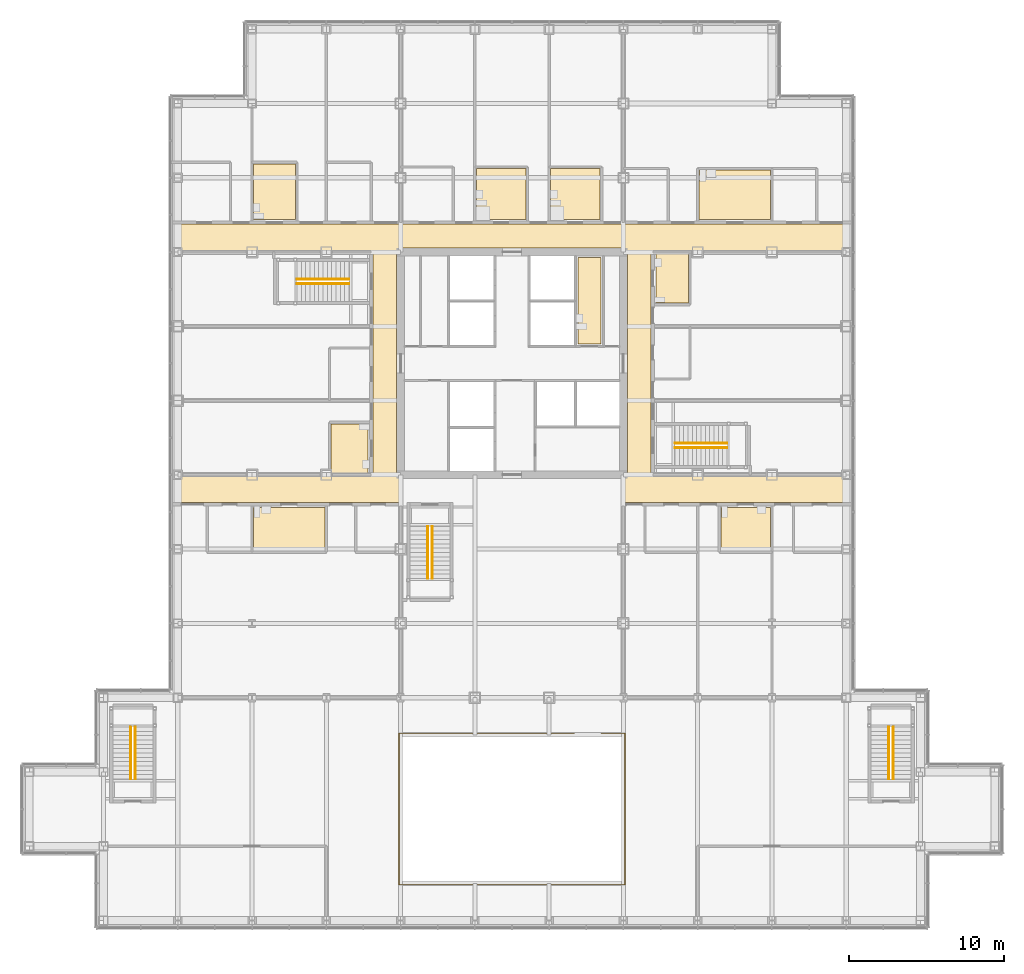
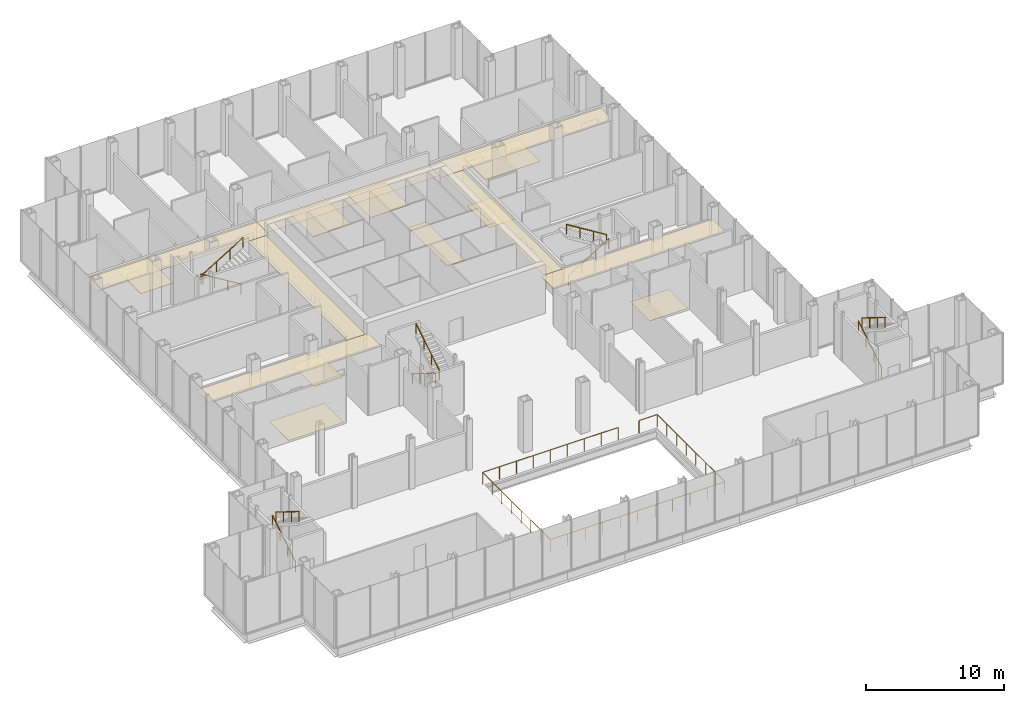
# One storey, part 24 of 25: 16 coverings, 11 railings.
"""IFC4 building model written with IfcOpenShell, lengths in metres."""

from ifc_helpers import new_model, si_unit, direction, frame, origin, origin_2d, place, context, subcontext, project, spatial, polyline, circle, outline, extrude, material, layer, layer_set, type_object, element, save


model = new_model("IFC4")

# Units and contexts
model_context = context("Model", 3, precision=1e-05, world=origin(), true_north=direction((0.0, 1.0)))
body_context = subcontext(model_context, "Body", "Model", "MODEL_VIEW")
ifc_project = project(units=[si_unit("LENGTHUNIT", "METRE"), si_unit("AREAUNIT", "SQUARE_METRE"), si_unit("VOLUMEUNIT", "CUBIC_METRE"), si_unit("PLANEANGLEUNIT", "RADIAN"), si_unit("MASSUNIT", "GRAM", prefix="KILO")], contexts=[model_context])

# Site, building, storey
site_placement = place(None, origin())
site = spatial("IfcSite", under=ifc_project, at=site_placement, CompositionType="ELEMENT")
building_placement = place(site_placement, origin())
building = spatial("IfcBuilding", under=site, at=building_placement, Name="Kvirike Care Tower", CompositionType="ELEMENT")
storey_placement = place(building_placement, frame((0.0, 0.0, 9.0)))
storey = spatial("IfcBuildingStorey", under=building, at=storey_placement, Name="L02", CompositionType="ELEMENT", Elevation=9.0)

# Railing
ifc_material_1 = material(Name="Laminated toughened glass balustrade with bronze-finish top rail", Category="glass")
railing_type_1 = type_object("IfcRailingType", Name="ATRIUM GLASS BALUSTRADE 1100", PredefinedType="BALUSTRADE", material=ifc_material_1)
railing_1_placement = place(storey_placement, frame((25.625, 12.10009765625, 0.0)))
element("IfcRailing", 1, at=railing_1_placement, inside=storey, type_object=railing_type_1, Name="Atrium glass balustrade L02 run 1", PredefinedType="BALUSTRADE", context=body_context, shape_type="SweptSolid", body=[
    extrude(circle(Radius=0.02392578125, at=origin_2d()), frame((0.0, 0.0, 1.076171875), z_axis=(-1.0, 0.0, 0.0), x_axis=(0.0, -1.0, 0.0)), (0.0, 0.0, 1.0), 11.324951171875),
    extrude(circle(Radius=0.02392578125, at=origin_2d()), frame((-11.324951171875, 0.0, 1.076171875), z_axis=(0.0, -1.0, 0.0), x_axis=(1.0, 0.0, 0.0)), (0.0, 0.0, 1.0), 9.800048828125),
    extrude(circle(Radius=0.02392578125, at=origin_2d()), frame((-11.324951171875, -9.800048828125, 1.076171875), z_axis=(1.0, 0.0, 0.0), x_axis=(0.0, 1.0, 0.0)), (0.0, 0.0, 1.0), 14.599853515625),
    extrude(circle(Radius=0.02392578125, at=origin_2d()), frame((3.27490234375, -9.800048828125, 1.076171875), z_axis=(0.0, 1.0, 0.0), x_axis=(-1.0, 0.0, 0.0)), (0.0, 0.0, 1.0), 9.800048828125),
    extrude(circle(Radius=0.02392578125, at=origin_2d()), frame((3.27490234375, 0.0, 1.076171875), z_axis=(-1.0, 0.0, 0.0), x_axis=(0.0, -1.0, 0.0)), (0.0, 0.0, 1.0), 1.52490234375),
    extrude(circle(Radius=0.02099609375, at=origin_2d()), origin(), (0.0, 0.0, 1.0), 1.052001953125),
    extrude(circle(Radius=0.02099609375, at=origin_2d()), frame((-1.41552734375, 0.0, 0.0)), (0.0, 0.0, 1.0), 1.052001953125),
    extrude(circle(Radius=0.02099609375, at=origin_2d()), frame((-2.831298828125, 0.0, 0.0)), (0.0, 0.0, 1.0), 1.052001953125),
    extrude(circle(Radius=0.02099609375, at=origin_2d()), frame((-4.246826171875, 0.0, 0.0)), (0.0, 0.0, 1.0), 1.052001953125),
    extrude(circle(Radius=0.02099609375, at=origin_2d()), frame((-5.66259765625, 0.0, 0.0)), (0.0, 0.0, 1.0), 1.052001953125),
    extrude(circle(Radius=0.02099609375, at=origin_2d()), frame((-7.078125, 0.0, 0.0)), (0.0, 0.0, 1.0), 1.052001953125),
    extrude(circle(Radius=0.02099609375, at=origin_2d()), frame((-8.49365234375, 0.0, 0.0)), (0.0, 0.0, 1.0), 1.052001953125),
    extrude(circle(Radius=0.02099609375, at=origin_2d()), frame((-9.909423828125, 0.0, 0.0)), (0.0, 0.0, 1.0), 1.052001953125),
    extrude(circle(Radius=0.02099609375, at=origin_2d()), frame((-11.324951171875, 0.0, 0.0)), (0.0, 0.0, 1.0), 1.052001953125),
    extrude(circle(Radius=0.02099609375, at=origin_2d()), frame((-11.324951171875, -1.39990234375, 0.0)), (0.0, 0.0, 1.0), 1.052001953125),
    extrude(circle(Radius=0.02099609375, at=origin_2d()), frame((-11.324951171875, -2.800048828125, 0.0)), (0.0, 0.0, 1.0), 1.052001953125),
    extrude(circle(Radius=0.02099609375, at=origin_2d()), frame((-11.324951171875, -4.199951171875, 0.0)), (0.0, 0.0, 1.0), 1.052001953125),
    extrude(circle(Radius=0.02099609375, at=origin_2d()), frame((-11.324951171875, -5.60009765625, 0.0)), (0.0, 0.0, 1.0), 1.052001953125),
    extrude(circle(Radius=0.02099609375, at=origin_2d()), frame((-11.324951171875, -7.0, 0.0)), (0.0, 0.0, 1.0), 1.052001953125),
    extrude(circle(Radius=0.02099609375, at=origin_2d()), frame((-11.324951171875, -8.400146484375, 0.0)), (0.0, 0.0, 1.0), 1.052001953125),
    extrude(circle(Radius=0.02099609375, at=origin_2d()), frame((-11.324951171875, -9.800048828125, 0.0)), (0.0, 0.0, 1.0), 1.052001953125),
    extrude(circle(Radius=0.02099609375, at=origin_2d()), frame((-9.864990234375, -9.800048828125, 0.0)), (0.0, 0.0, 1.0), 1.052001953125),
    extrude(circle(Radius=0.02099609375, at=origin_2d()), frame((-8.405029296875, -9.800048828125, 0.0)), (0.0, 0.0, 1.0), 1.052001953125),
    extrude(circle(Radius=0.02099609375, at=origin_2d()), frame((-6.945068359375, -9.800048828125, 0.0)), (0.0, 0.0, 1.0), 1.052001953125),
    extrude(circle(Radius=0.02099609375, at=origin_2d()), frame((-5.485107421875, -9.800048828125, 0.0)), (0.0, 0.0, 1.0), 1.052001953125),
    extrude(circle(Radius=0.02099609375, at=origin_2d()), frame((-4.02490234375, -9.800048828125, 0.0)), (0.0, 0.0, 1.0), 1.052001953125),
    extrude(circle(Radius=0.02099609375, at=origin_2d()), frame((-2.56494140625, -9.800048828125, 0.0)), (0.0, 0.0, 1.0), 1.052001953125),
    extrude(circle(Radius=0.02099609375, at=origin_2d()), frame((-1.10498046875, -9.800048828125, 0.0)), (0.0, 0.0, 1.0), 1.052001953125),
    extrude(circle(Radius=0.02099609375, at=origin_2d()), frame((0.35498046875, -9.800048828125, 0.0)), (0.0, 0.0, 1.0), 1.052001953125),
    extrude(circle(Radius=0.02099609375, at=origin_2d()), frame((1.81494140625, -9.800048828125, 0.0)), (0.0, 0.0, 1.0), 1.052001953125),
    extrude(circle(Radius=0.02099609375, at=origin_2d()), frame((3.27490234375, -9.800048828125, 0.0)), (0.0, 0.0, 1.0), 1.052001953125),
    extrude(circle(Radius=0.02099609375, at=origin_2d()), frame((3.27490234375, -8.400146484375, 0.0)), (0.0, 0.0, 1.0), 1.052001953125),
    extrude(circle(Radius=0.02099609375, at=origin_2d()), frame((3.27490234375, -7.0, 0.0)), (0.0, 0.0, 1.0), 1.052001953125),
    extrude(circle(Radius=0.02099609375, at=origin_2d()), frame((3.27490234375, -5.60009765625, 0.0)), (0.0, 0.0, 1.0), 1.052001953125),
    extrude(circle(Radius=0.02099609375, at=origin_2d()), frame((3.27490234375, -4.199951171875, 0.0)), (0.0, 0.0, 1.0), 1.052001953125),
    extrude(circle(Radius=0.02099609375, at=origin_2d()), frame((3.27490234375, -2.800048828125, 0.0)), (0.0, 0.0, 1.0), 1.052001953125),
    extrude(circle(Radius=0.02099609375, at=origin_2d()), frame((3.27490234375, -1.39990234375, 0.0)), (0.0, 0.0, 1.0), 1.052001953125),
    extrude(circle(Radius=0.02099609375, at=origin_2d()), frame((3.27490234375, 0.0, 0.0)), (0.0, 0.0, 1.0), 1.052001953125),
    extrude(circle(Radius=0.02099609375, at=origin_2d()), frame((1.75, 0.0, 0.0)), (0.0, 0.0, 1.0), 1.052001953125),
])

# Coverings
ifc_material_2 = material(Name="Perforated metal ceiling tile", Category="aluminium")
ifc_layer_1 = layer(ifc_material_2, 0.014892578125)
ifc_layer_set_1 = layer_set([ifc_layer_1], Name="CORRIDOR CEILING 15")
covering_type_1 = type_object("IfcCoveringType", Name="CORRIDOR CEILING 15", PredefinedType="CEILING", material=ifc_layer_set_1)
covering_1_placement = place(storey_placement, frame((0.0, 0.0, 3.199951171875)))
element("IfcCovering", 2, at=covering_1_placement, inside=storey, type_object=covering_type_1, Name="Corridor ceiling L02", PredefinedType="CEILING", context=body_context, shape_type="SweptSolid", body=[
    extrude(outline(polyline([(0.0, 27.0), (0.0, 28.800048828125), (14.39990234375, 28.800048828125), (14.39990234375, 27.0), (0.0, 27.0)])), origin(), (0.0, 0.0, 1.0), 0.01513671875),
])
covering_2_placement = place(storey_placement, frame((0.0, 0.0, 3.199951171875)))
element("IfcCovering", 3, at=covering_2_placement, inside=storey, type_object=covering_type_1, Name="Corridor ceiling L02", PredefinedType="CEILING", context=body_context, shape_type="SweptSolid", body=[
    extrude(outline(polyline([(12.60009765625, 43.199951171875), (14.14990234375, 43.199951171875), (14.14990234375, 28.800048828125), (12.60009765625, 28.800048828125), (12.60009765625, 43.199951171875)])), origin(), (0.0, 0.0, 1.0), 0.01513671875),
])
covering_3_placement = place(storey_placement, frame((0.0, 0.0, 3.199951171875)))
element("IfcCovering", 4, at=covering_3_placement, inside=storey, type_object=covering_type_1, Name="Corridor ceiling L02", PredefinedType="CEILING", context=body_context, shape_type="SweptSolid", body=[
    extrude(outline(polyline([(14.39990234375, 45.0), (14.39990234375, 43.199951171875), (0.0, 43.199951171875), (0.0, 45.0), (14.39990234375, 45.0)])), origin(), (0.0, 0.0, 1.0), 0.01513671875),
])
covering_4_placement = place(storey_placement, frame((0.0, 0.0, 3.199951171875)))
element("IfcCovering", 5, at=covering_4_placement, inside=storey, type_object=covering_type_1, Name="Corridor ceiling L02", PredefinedType="CEILING", context=body_context, shape_type="SweptSolid", body=[
    extrude(outline(polyline([(28.800048828125, 45.0), (28.800048828125, 43.449951171875), (14.39990234375, 43.449951171875), (14.39990234375, 45.0), (28.800048828125, 45.0)])), origin(), (0.0, 0.0, 1.0), 0.01513671875),
])
covering_5_placement = place(storey_placement, frame((0.0, 0.0, 3.199951171875)))
element("IfcCovering", 6, at=covering_5_placement, inside=storey, type_object=covering_type_1, Name="Corridor ceiling L02", PredefinedType="CEILING", context=body_context, shape_type="SweptSolid", body=[
    extrude(outline(polyline([(28.800048828125, 27.0), (28.800048828125, 28.800048828125), (43.199951171875, 28.800048828125), (43.199951171875, 27.0), (28.800048828125, 27.0)])), origin(), (0.0, 0.0, 1.0), 0.01513671875),
])
covering_6_placement = place(storey_placement, frame((0.0, 0.0, 3.199951171875)))
element("IfcCovering", 7, at=covering_6_placement, inside=storey, type_object=covering_type_1, Name="Corridor ceiling L02", PredefinedType="CEILING", context=body_context, shape_type="SweptSolid", body=[
    extrude(outline(polyline([(30.60009765625, 28.800048828125), (29.050048828125, 28.800048828125), (29.050048828125, 43.199951171875), (30.60009765625, 43.199951171875), (30.60009765625, 28.800048828125)])), origin(), (0.0, 0.0, 1.0), 0.01513671875),
])
covering_7_placement = place(storey_placement, frame((0.0, 0.0, 3.199951171875)))
element("IfcCovering", 8, at=covering_7_placement, inside=storey, type_object=covering_type_1, Name="Corridor ceiling L02", PredefinedType="CEILING", context=body_context, shape_type="SweptSolid", body=[
    extrude(outline(polyline([(43.199951171875, 45.0), (43.199951171875, 43.199951171875), (28.800048828125, 43.199951171875), (28.800048828125, 45.0), (43.199951171875, 45.0)])), origin(), (0.0, 0.0, 1.0), 0.01513671875),
])

# Railings
ifc_material_3 = material(Name="Stainless steel handrail", Category="steel")
railing_type_2 = type_object("IfcRailingType", Name="STAIR HANDRAIL 900", PredefinedType="HANDRAIL", material=ifc_material_3)
railing_2_placement = place(storey_placement, frame((11.06005859375, 41.449951171875, 0.173095703125)))
element("IfcRailing", 9, at=railing_2_placement, inside=storey, type_object=railing_type_2, Name="Stair 1 handrail L02 flight 1", PredefinedType="HANDRAIL", context=body_context, shape_type="SweptSolid", body=[
    extrude(circle(Radius=0.02490234375, at=origin_2d()), frame((0.0, 0.0, 0.875), z_axis=(-0.850623216509, 0.0, 0.525775754039), x_axis=(0.0, -1.0, 0.0)), (0.0, 0.0, 1.0), 3.9501953125),
    extrude(circle(Radius=0.02001953125, at=origin_2d()), origin(), (0.0, 0.0, 1.0), 0.849853515625),
    extrude(circle(Radius=0.02001953125, at=origin_2d()), frame((-1.1201171875, 0.0, 0.6923828125)), (0.0, 0.0, 1.0), 0.849853515625),
    extrude(circle(Radius=0.02001953125, at=origin_2d()), frame((-2.239990234375, 0.0, 1.384521484375)), (0.0, 0.0, 1.0), 0.849853515625),
    extrude(circle(Radius=0.02001953125, at=origin_2d()), frame((-3.360107421875, 0.0, 2.076904296875)), (0.0, 0.0, 1.0), 0.849853515625),
])
for number, where, name in (
    (10, (7.699951171875, 41.14990234375, 2.423095703125), "Stair 1 handrail L02 flight 2"),
    (11, (32.139892578125, 30.550048828125, 0.173095703125), "Stair 2 handrail L02 flight 1"),
):
    element("IfcRailing", number, at=place(storey_placement, frame(where)), inside=storey, type_object=railing_type_2, Name=name, PredefinedType="HANDRAIL", context=body_context, shape_type="SweptSolid", body=[
        extrude(circle(Radius=0.02490234375, at=origin_2d()), frame((0.0, 0.0, 0.875), z_axis=(0.850623216509, 0.0, 0.525775754039), x_axis=(0.0, 1.0, 0.0)), (0.0, 0.0, 1.0), 3.9501953125),
        extrude(circle(Radius=0.02001953125, at=origin_2d()), origin(), (0.0, 0.0, 1.0), 0.849853515625),
        extrude(circle(Radius=0.02001953125, at=origin_2d()), frame((1.1201171875, 0.0, 0.6923828125)), (0.0, 0.0, 1.0), 0.849853515625),
        extrude(circle(Radius=0.02001953125, at=origin_2d()), frame((2.239990234375, 0.0, 1.384521484375)), (0.0, 0.0, 1.0), 0.849853515625),
        extrude(circle(Radius=0.02001953125, at=origin_2d()), frame((3.360107421875, 0.0, 2.076904296875)), (0.0, 0.0, 1.0), 0.849853515625),
    ])
railing_3_placement = place(storey_placement, frame((35.5, 30.85009765625, 2.423095703125)))
element("IfcRailing", 12, at=railing_3_placement, inside=storey, type_object=railing_type_2, Name="Stair 2 handrail L02 flight 2", PredefinedType="HANDRAIL", context=body_context, shape_type="SweptSolid", body=[
    extrude(circle(Radius=0.02490234375, at=origin_2d()), frame((0.0, 0.0, 0.875), z_axis=(-0.850623216509, 0.0, 0.525775754039), x_axis=(0.0, -1.0, 0.0)), (0.0, 0.0, 1.0), 3.9501953125),
    extrude(circle(Radius=0.02001953125, at=origin_2d()), origin(), (0.0, 0.0, 1.0), 0.849853515625),
    extrude(circle(Radius=0.02001953125, at=origin_2d()), frame((-1.1201171875, 0.0, 0.6923828125)), (0.0, 0.0, 1.0), 0.849853515625),
    extrude(circle(Radius=0.02001953125, at=origin_2d()), frame((-2.239990234375, 0.0, 1.384521484375)), (0.0, 0.0, 1.0), 0.849853515625),
    extrude(circle(Radius=0.02001953125, at=origin_2d()), frame((-3.360107421875, 0.0, 2.076904296875)), (0.0, 0.0, 1.0), 0.849853515625),
])
railing_4_placement = place(storey_placement, frame((-3.050048828125, 9.139892578125, 0.173095703125)))
element("IfcRailing", 13, at=railing_4_placement, inside=storey, type_object=railing_type_2, Name="Stair 3 handrail L02 flight 1", PredefinedType="HANDRAIL", context=body_context, shape_type="SweptSolid", body=[
    extrude(circle(Radius=0.02490234375, at=origin_2d()), frame((0.0, 0.0, 0.875), z_axis=(0.0, 0.850623216509, 0.525775754039), x_axis=(-1.0, 0.0, 0.0)), (0.0, 0.0, 1.0), 3.9501953125),
    extrude(circle(Radius=0.02001953125, at=origin_2d()), origin(), (0.0, 0.0, 1.0), 0.849853515625),
    extrude(circle(Radius=0.02001953125, at=origin_2d()), frame((0.0, 1.1201171875, 0.6923828125)), (0.0, 0.0, 1.0), 0.849853515625),
    extrude(circle(Radius=0.02001953125, at=origin_2d()), frame((0.0, 2.239990234375, 1.384521484375)), (0.0, 0.0, 1.0), 0.849853515625),
    extrude(circle(Radius=0.02001953125, at=origin_2d()), frame((0.0, 3.360107421875, 2.076904296875)), (0.0, 0.0, 1.0), 0.849853515625),
])
railing_5_placement = place(storey_placement, frame((-2.75, 12.5, 2.423095703125)))
element("IfcRailing", 14, at=railing_5_placement, inside=storey, type_object=railing_type_2, Name="Stair 3 handrail L02 flight 2", PredefinedType="HANDRAIL", context=body_context, shape_type="SweptSolid", body=[
    extrude(circle(Radius=0.02490234375, at=origin_2d()), frame((0.0, 0.0, 0.875), z_axis=(0.0, -0.850623216509, 0.525775754039), x_axis=(1.0, 0.0, 0.0)), (0.0, 0.0, 1.0), 3.9501953125),
    extrude(circle(Radius=0.02001953125, at=origin_2d()), origin(), (0.0, 0.0, 1.0), 0.849853515625),
    extrude(circle(Radius=0.02001953125, at=origin_2d()), frame((0.0, -1.1201171875, 0.6923828125)), (0.0, 0.0, 1.0), 0.849853515625),
    extrude(circle(Radius=0.02001953125, at=origin_2d()), frame((0.0, -2.239990234375, 1.384521484375)), (0.0, 0.0, 1.0), 0.849853515625),
    extrude(circle(Radius=0.02001953125, at=origin_2d()), frame((0.0, -3.360107421875, 2.076904296875)), (0.0, 0.0, 1.0), 0.849853515625),
])
railing_6_placement = place(storey_placement, frame((45.949951171875, 9.139892578125, 0.173095703125)))
element("IfcRailing", 15, at=railing_6_placement, inside=storey, type_object=railing_type_2, Name="Stair 4 handrail L02 flight 1", PredefinedType="HANDRAIL", context=body_context, shape_type="SweptSolid", body=[
    extrude(circle(Radius=0.02490234375, at=origin_2d()), frame((0.0, 0.0, 0.875), z_axis=(0.0, 0.850623216509, 0.525775754039), x_axis=(-1.0, 0.0, 0.0)), (0.0, 0.0, 1.0), 3.9501953125),
    extrude(circle(Radius=0.02001953125, at=origin_2d()), origin(), (0.0, 0.0, 1.0), 0.849853515625),
    extrude(circle(Radius=0.02001953125, at=origin_2d()), frame((0.0, 1.1201171875, 0.6923828125)), (0.0, 0.0, 1.0), 0.849853515625),
    extrude(circle(Radius=0.02001953125, at=origin_2d()), frame((0.0, 2.239990234375, 1.384521484375)), (0.0, 0.0, 1.0), 0.849853515625),
    extrude(circle(Radius=0.02001953125, at=origin_2d()), frame((0.0, 3.360107421875, 2.076904296875)), (0.0, 0.0, 1.0), 0.849853515625),
])
railing_7_placement = place(storey_placement, frame((46.25, 12.5, 2.423095703125)))
element("IfcRailing", 16, at=railing_7_placement, inside=storey, type_object=railing_type_2, Name="Stair 4 handrail L02 flight 2", PredefinedType="HANDRAIL", context=body_context, shape_type="SweptSolid", body=[
    extrude(circle(Radius=0.02490234375, at=origin_2d()), frame((0.0, 0.0, 0.875), z_axis=(0.0, -0.850623216509, 0.525775754039), x_axis=(1.0, 0.0, 0.0)), (0.0, 0.0, 1.0), 3.9501953125),
    extrude(circle(Radius=0.02001953125, at=origin_2d()), origin(), (0.0, 0.0, 1.0), 0.849853515625),
    extrude(circle(Radius=0.02001953125, at=origin_2d()), frame((0.0, -1.1201171875, 0.6923828125)), (0.0, 0.0, 1.0), 0.849853515625),
    extrude(circle(Radius=0.02001953125, at=origin_2d()), frame((0.0, -2.239990234375, 1.384521484375)), (0.0, 0.0, 1.0), 0.849853515625),
    extrude(circle(Radius=0.02001953125, at=origin_2d()), frame((0.0, -3.360107421875, 2.076904296875)), (0.0, 0.0, 1.0), 0.849853515625),
])
railing_8_placement = place(storey_placement, frame((16.14990234375, 25.4599609375, 0.173095703125)))
element("IfcRailing", 17, at=railing_8_placement, inside=storey, type_object=railing_type_2, Name="Stair 5 handrail L02 flight 1", PredefinedType="HANDRAIL", context=body_context, shape_type="SweptSolid", body=[
    extrude(circle(Radius=0.02490234375, at=origin_2d()), frame((0.0, 0.0, 0.875), z_axis=(0.0, -0.850606129759, 0.525803396734), x_axis=(1.0, 0.0, 0.0)), (0.0, 0.0, 1.0), 3.949951171875),
    extrude(circle(Radius=0.02001953125, at=origin_2d()), origin(), (0.0, 0.0, 1.0), 0.849853515625),
    extrude(circle(Radius=0.02001953125, at=origin_2d()), frame((0.0, -1.119873046875, 0.6923828125)), (0.0, 0.0, 1.0), 0.849853515625),
    extrude(circle(Radius=0.02001953125, at=origin_2d()), frame((0.0, -2.239990234375, 1.384521484375)), (0.0, 0.0, 1.0), 0.849853515625),
    extrude(circle(Radius=0.02001953125, at=origin_2d()), frame((0.0, -3.35986328125, 2.076904296875)), (0.0, 0.0, 1.0), 0.849853515625),
])
railing_9_placement = place(storey_placement, frame((16.449951171875, 22.10009765625, 2.423095703125)))
element("IfcRailing", 18, at=railing_9_placement, inside=storey, type_object=railing_type_2, Name="Stair 5 handrail L02 flight 2", PredefinedType="HANDRAIL", context=body_context, shape_type="SweptSolid", body=[
    extrude(circle(Radius=0.02490234375, at=origin_2d()), frame((0.0, 0.0, 0.875), z_axis=(0.0, 0.850606129759, 0.525803396734), x_axis=(-1.0, 0.0, 0.0)), (0.0, 0.0, 1.0), 3.949951171875),
    extrude(circle(Radius=0.02001953125, at=origin_2d()), origin(), (0.0, 0.0, 1.0), 0.849853515625),
    extrude(circle(Radius=0.02001953125, at=origin_2d()), frame((0.0, 1.119873046875, 0.6923828125)), (0.0, 0.0, 1.0), 0.849853515625),
    extrude(circle(Radius=0.02001953125, at=origin_2d()), frame((0.0, 2.239990234375, 1.384521484375)), (0.0, 0.0, 1.0), 0.849853515625),
    extrude(circle(Radius=0.02001953125, at=origin_2d()), frame((0.0, 3.35986328125, 2.076904296875)), (0.0, 0.0, 1.0), 0.849853515625),
])

# Coverings
ifc_material_4 = material(Name="Slip-resistant vinyl safety flooring on screed")
ifc_layer_2 = layer(ifc_material_4, 0.02001953125)
ifc_layer_set_2 = layer_set([ifc_layer_2], Name="WET ROOM FLOOR 20")
covering_type_2 = type_object("IfcCoveringType", Name="WET ROOM FLOOR 20", PredefinedType="FLOORING", material=ifc_layer_set_2)
covering_8_placement = place(storey_placement, origin())
element("IfcCovering", 19, at=covering_8_placement, inside=storey, type_object=covering_type_2, Name="Accessible WC floor L02-004", PredefinedType="FLOORING", context=body_context, shape_type="SweptSolid", body=[
    extrude(outline(polyline([(4.89990234375, 26.699951171875), (9.5, 26.699951171875), (9.5, 23.89990234375), (4.89990234375, 23.89990234375), (4.89990234375, 26.699951171875)])), origin(), (0.0, 0.0, 1.0), 0.02001953125),
])
covering_9_placement = place(storey_placement, origin())
element("IfcCovering", 20, at=covering_9_placement, inside=storey, type_object=covering_type_2, Name="Staff WC floor L02-012", PredefinedType="FLOORING", context=body_context, shape_type="SweptSolid", body=[
    extrude(outline(polyline([(12.300048828125, 32.10009765625), (12.300048828125, 28.89990234375), (9.89990234375, 28.89990234375), (9.89990234375, 32.10009765625), (12.300048828125, 32.10009765625)])), origin(), (0.0, 0.0, 1.0), 0.02001953125),
])
covering_10_placement = place(storey_placement, origin())
element("IfcCovering", 21, at=covering_10_placement, inside=storey, type_object=covering_type_2, Name="Staff WC floor L02-018", PredefinedType="FLOORING", context=body_context, shape_type="SweptSolid", body=[
    extrude(outline(polyline([(7.60009765625, 45.300048828125), (4.89990234375, 45.300048828125), (4.89990234375, 48.89990234375), (7.60009765625, 48.89990234375), (7.60009765625, 45.300048828125)])), origin(), (0.0, 0.0, 1.0), 0.02001953125),
])
covering_11_placement = place(storey_placement, origin())
element("IfcCovering", 22, at=covering_11_placement, inside=storey, type_object=covering_type_2, Name="Shower room floor L02-026", PredefinedType="FLOORING", context=body_context, shape_type="SweptSolid", body=[
    extrude(outline(polyline([(27.300048828125, 45.300048828125), (24.10009765625, 45.300048828125), (24.10009765625, 48.60009765625), (27.300048828125, 48.60009765625), (27.300048828125, 45.300048828125)])), origin(), (0.0, 0.0, 1.0), 0.02001953125),
])
covering_12_placement = place(storey_placement, origin())
element("IfcCovering", 23, at=covering_12_placement, inside=storey, type_object=covering_type_2, Name="Shower room floor L02-027", PredefinedType="FLOORING", context=body_context, shape_type="SweptSolid", body=[
    extrude(outline(polyline([(22.5, 45.300048828125), (19.300048828125, 45.300048828125), (19.300048828125, 48.60009765625), (22.5, 48.60009765625), (22.5, 45.300048828125)])), origin(), (0.0, 0.0, 1.0), 0.02001953125),
])
covering_13_placement = place(storey_placement, origin())
element("IfcCovering", 24, at=covering_13_placement, inside=storey, type_object=covering_type_2, Name="Accessible WC floor L02-034", PredefinedType="FLOORING", context=body_context, shape_type="SweptSolid", body=[
    extrude(outline(polyline([(35.10009765625, 26.699951171875), (38.300048828125, 26.699951171875), (38.300048828125, 23.89990234375), (35.10009765625, 23.89990234375), (35.10009765625, 26.699951171875)])), origin(), (0.0, 0.0, 1.0), 0.02001953125),
])
covering_14_placement = place(storey_placement, origin())
element("IfcCovering", 25, at=covering_14_placement, inside=storey, type_object=covering_type_2, Name="Staff WC floor L02-042", PredefinedType="FLOORING", context=body_context, shape_type="SweptSolid", body=[
    extrude(outline(polyline([(30.89990234375, 39.89990234375), (30.89990234375, 43.10009765625), (33.0, 43.10009765625), (33.0, 39.89990234375), (30.89990234375, 39.89990234375)])), origin(), (0.0, 0.0, 1.0), 0.02001953125),
])
covering_15_placement = place(storey_placement, origin())
element("IfcCovering", 26, at=covering_15_placement, inside=storey, type_object=covering_type_2, Name="Accessible WC floor L02-046", PredefinedType="FLOORING", context=body_context, shape_type="SweptSolid", body=[
    extrude(outline(polyline([(38.300048828125, 45.300048828125), (33.699951171875, 45.300048828125), (33.699951171875, 48.5), (38.300048828125, 48.5), (38.300048828125, 45.300048828125)])), origin(), (0.0, 0.0, 1.0), 0.02001953125),
])
covering_16_placement = place(storey_placement, origin())
element("IfcCovering", 27, at=covering_16_placement, inside=storey, type_object=covering_type_2, Name="Staff WC floor L02-063", PredefinedType="FLOORING", context=body_context, shape_type="SweptSolid", body=[
    extrude(outline(polyline([(27.35009765625, 37.25), (25.85009765625, 37.25), (25.85009765625, 42.85009765625), (27.35009765625, 42.85009765625), (27.35009765625, 37.25)])), origin(), (0.0, 0.0, 1.0), 0.02001953125),
])

save(model, "model.ifc")
